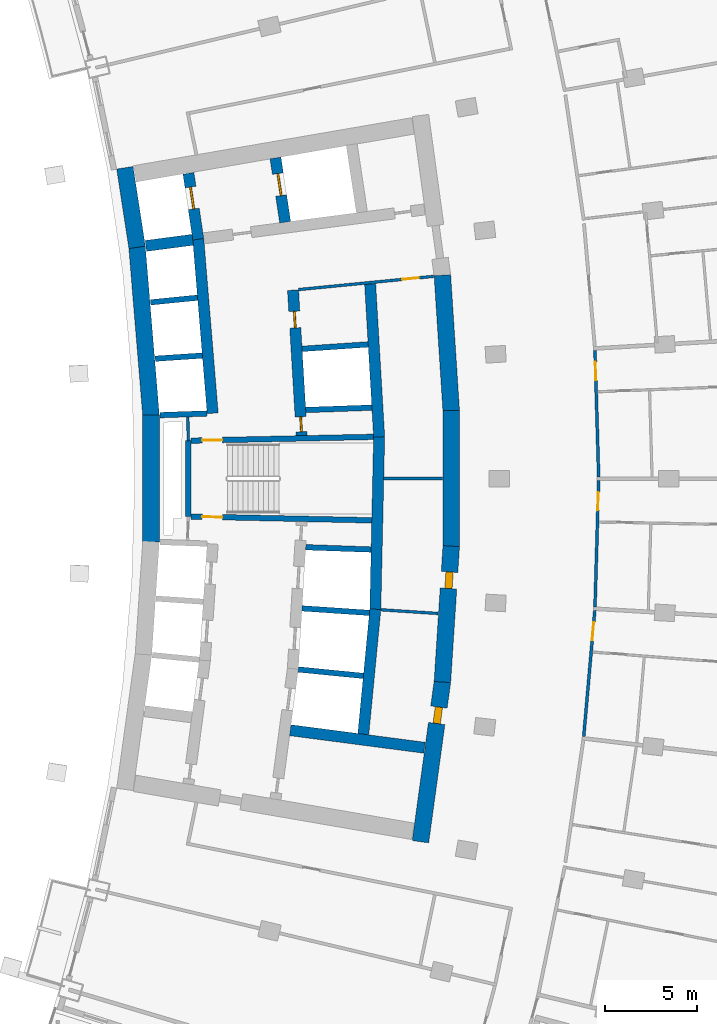
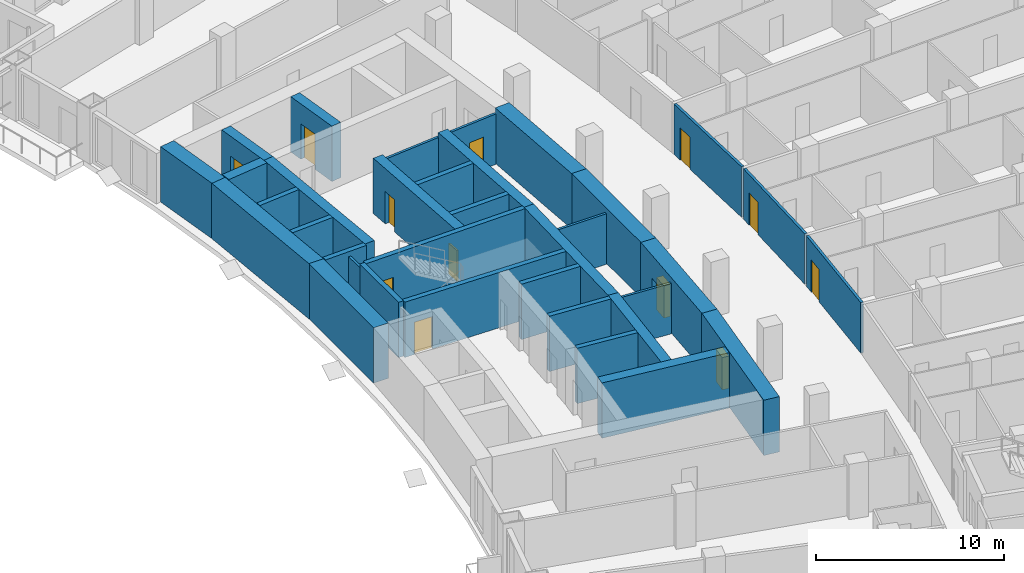
# One storey, part 16 of 24: 34 walls, 12 doors, 12 openings.
"""IFC4 building model written with IfcOpenShell, lengths in metres."""

from ifc_helpers import new_model, si_unit, direction, frame, frame_2d, origin, place, context, subcontext, project, spatial, rectangle, extrude, material, layer, layer_set, type_object, element, fill, save


model = new_model("IFC4")

# Units and contexts
model_context = context("Model", 3, precision=1e-05, world=origin(), true_north=direction((0.0, 1.0)))
body_context = subcontext(model_context, "Body", "Model", "MODEL_VIEW")
ifc_project = project(units=[si_unit("LENGTHUNIT", "METRE"), si_unit("AREAUNIT", "SQUARE_METRE"), si_unit("VOLUMEUNIT", "CUBIC_METRE"), si_unit("PLANEANGLEUNIT", "RADIAN"), si_unit("MASSUNIT", "GRAM", prefix="KILO")], contexts=[model_context])

# Site, building, storey
site_placement = place(None, origin())
site = spatial("IfcSite", under=ifc_project, at=site_placement, CompositionType="ELEMENT")
building_placement = place(site_placement, origin())
building = spatial("IfcBuilding", under=site, at=building_placement, Name="Alderwake Tower", CompositionType="ELEMENT")
storey_placement = place(building_placement, frame((0.0, 0.0, 39.199951171875)))
storey = spatial("IfcBuildingStorey", under=building, at=storey_placement, Name="L08", CompositionType="ELEMENT", Elevation=39.199951171875)

# Walls
ifc_material_1 = material(Name="Gypsum shaft wall system, rated")
ifc_layer_1 = layer(ifc_material_1, 0.14990234375)
ifc_layer_set_1 = layer_set([ifc_layer_1], Name="Core room partition 150")
wall_type_1 = type_object("IfcWallType", Name="Core room partition 150", PredefinedType="PARTITIONING", material=ifc_layer_set_1)
wall_1_placement = place(storey_placement, frame((18.918701171875, 63.05517578125, 0.0), z_axis=(0.0, 0.0, 1.0), x_axis=(-0.027327648352, 0.999626530078, 0.0)))
element("IfcWall", 1, at=wall_1_placement, inside=storey, type_object=wall_type_1, Name="CW/L08/PA+24_+22", PredefinedType="PARTITIONING", context=body_context, shape_type="SweptSolid", body=[
    extrude(rectangle(XDim=1.29541015625, YDim=0.14990234375, at=frame_2d((0.647705078125, 0.0))), origin(), (0.0, 0.0, 1.0), 3.280029296875),
])
wall_2_placement = place(storey_placement, frame((29.368408203125, 53.8779296875, 0.0), z_axis=(0.0, 0.0, 1.0), x_axis=(0.997885422127, -0.064997571548, 0.0)))
element("IfcWall", 2, at=wall_2_placement, inside=storey, type_object=wall_type_1, Name="CW/L08/PR-68_+128", PredefinedType="PARTITIONING", context=body_context, shape_type="SweptSolid", body=[
    extrude(rectangle(XDim=3.110107421875, YDim=0.14990234375, at=frame_2d((1.55517578125, 0.0))), origin(), (0.0, 0.0, 1.0), 3.280029296875),
])
wall_3_placement = place(storey_placement, frame((29.526123046875, 61.0, 0.0), z_axis=(0.0, 0.0, 1.0), x_axis=(1.0, 0.0, 0.0)))
element("IfcWall", 3, at=wall_3_placement, inside=storey, type_object=wall_type_1, Name="CW/L08/PR+0_+128", PredefinedType="PARTITIONING", context=body_context, shape_type="SweptSolid", body=[
    extrude(rectangle(XDim=3.18408203125, YDim=0.14990234375, at=frame_2d((1.592041015625, 0.0))), origin(), (0.0, 0.0, 1.0), 3.280029296875),
])

# Wall, opening, door
wall_4_placement = place(storey_placement, frame((32.233642578125, 71.982177734375, 0.0), z_axis=(0.0, 0.0, 1.0), x_axis=(-0.995245540971, -0.097397706226, 0.0)))
wall_4 = element("IfcWall", 4, at=wall_4_placement, inside=storey, type_object=wall_type_1, Name="CW/L08/PR+102_+86", PredefinedType="PARTITIONING", context=body_context, shape_type="SweptSolid", body=[
    extrude(rectangle(XDim=7.36962890625, YDim=0.14990234375, at=frame_2d((3.684814453125, 0.0))), origin(), (0.0, 0.0, 1.0), 3.280029296875),
])
opening_1_placement = place(wall_4_placement, frame((0.819580078125, 0.0, 0.0)))
opening_1 = element("IfcOpeningElement", 5, at=opening_1_placement, cuts=wall_4, Name="Opening C032", PredefinedType="OPENING", context=body_context, shape_type="SweptSolid", body=[
    extrude(rectangle(XDim=0.89990234375, YDim=2.10009765625, at=frame_2d((0.449951171875, 1.050048828125))), frame((0.0, 0.0849609375, 0.0), z_axis=(0.0, -1.0, 0.0), x_axis=(1.0, 0.0, 0.0)), (0.0, 0.0, 1.0), 0.169921875),
])
ifc_material_2 = material(Name="Painted steel leaf", Category="steel")
door_type_1 = type_object("IfcDoorType", Name="Core room door 900", OperationType="SINGLE_SWING_LEFT", PredefinedType="DOOR", material=ifc_material_2)
door_1_placement = place(opening_1_placement, origin())
door_1 = element("IfcDoor", 6, at=door_1_placement, inside=storey, type_object=door_type_1, Name="Room door", OperationType="SINGLE_SWING_RIGHT", OverallHeight=2.10009765625, OverallWidth=0.89990234375, PredefinedType="DOOR", context=body_context, shape_type="SweptSolid", body=[
    extrude(rectangle(XDim=0.89990234375, YDim=2.10009765625, at=frame_2d((0.449951171875, 1.050048828125))), frame((0.0, 0.02490234375, 0.0), z_axis=(0.0, -1.0, 0.0), x_axis=(1.0, 0.0, 0.0)), (0.0, 0.0, 1.0), 0.050048828125),
])
fill(opening_1, door_1)

# Walls
ifc_material_3 = material(Name="Concrete C70/85", Category="concrete")
ifc_layer_2 = layer(ifc_material_3, 0.89990234375)
ifc_layer_set_2 = layer_set([ifc_layer_2], Name="Core wall outer 900 C70-85")
wall_type_2 = type_object("IfcWallType", Name="Core wall outer 900 C70-85", PredefinedType="SHEAR", material=ifc_layer_set_2)
wall_5_placement = place(storey_placement, frame((16.889404296875, 57.5546875, 0.0), z_axis=(0.0, 0.0, 1.0), x_axis=(0.0, 1.0, 0.0)))
element("IfcWall", 7, at=wall_5_placement, inside=storey, type_object=wall_type_2, Name="Core wall CW.043", PredefinedType="SHEAR", context=body_context, shape_type="SweptSolid", body=[
    extrude(rectangle(XDim=6.89404296875, YDim=0.89990234375, at=frame_2d((3.447021484375, 0.0))), origin(), (0.0, 0.0, 1.0), 3.60009765625),
])
wall_6_placement = place(storey_placement, frame((16.890869140625, 64.41064453125, 0.0), z_axis=(0.0, 0.0, 1.0), x_axis=(-0.082624275373, 0.996580768989, 0.0)))
element("IfcWall", 8, at=wall_6_placement, inside=storey, type_object=wall_type_2, Name="Core wall CW.040", PredefinedType="SHEAR", context=body_context, shape_type="SweptSolid", body=[
    extrude(rectangle(XDim=9.210205078125, YDim=0.89990234375, at=frame_2d((4.60498046875, 0.0))), origin(), (0.0, 0.0, 1.0), 3.60009765625),
])
wall_7_placement = place(storey_placement, frame((16.1337890625, 73.557373046875, 0.0), z_axis=(0.0, 0.0, 1.0), x_axis=(-0.151956504286, 0.988387181627, 0.0)))
element("IfcWall", 9, at=wall_7_placement, inside=storey, type_object=wall_type_2, Name="Core wall CW.039", PredefinedType="SHEAR", context=body_context, shape_type="SweptSolid", body=[
    extrude(rectangle(XDim=4.373291015625, YDim=0.89990234375, at=frame_2d((2.1865234375, 0.0))), origin(), (0.0, 0.0, 1.0), 3.60009765625),
])

# Wall, opening, door
wall_8_placement = place(storey_placement, frame((32.7138671875, 49.9873046875, 0.0), z_axis=(0.0, 0.0, 1.0), x_axis=(-0.135844728876, -0.990730139663, 0.0)))
wall_8 = element("IfcWall", 10, at=wall_8_placement, inside=storey, type_object=wall_type_2, Name="Core wall CW.012", PredefinedType="SHEAR", context=body_context, shape_type="SweptSolid", body=[
    extrude(rectangle(XDim=8.78662109375, YDim=0.89990234375, at=frame_2d((4.393310546875, 0.0))), origin(), (0.0, 0.0, 1.0), 3.60009765625),
])
opening_2_placement = place(wall_8_placement, frame((1.40673828125, 0.0, 0.0)))
opening_2 = element("IfcOpeningElement", 11, at=opening_2_placement, cuts=wall_8, Name="Opening C049", PredefinedType="OPENING", context=body_context, shape_type="SweptSolid", body=[
    extrude(rectangle(XDim=0.89990234375, YDim=2.10009765625, at=frame_2d((0.449951171875, 1.050048828125))), frame((0.0, 0.4599609375, 0.0), z_axis=(0.0, -1.0, 0.0), x_axis=(1.0, 0.0, 0.0)), (0.0, 0.0, 1.0), 0.919921875),
])
door_2_placement = place(opening_2_placement, origin())
door_2 = element("IfcDoor", 12, at=door_2_placement, inside=storey, type_object=door_type_1, Name="Room door", OperationType="SINGLE_SWING_LEFT", OverallHeight=2.10009765625, OverallWidth=0.89990234375, PredefinedType="DOOR", context=body_context, shape_type="SweptSolid", body=[
    extrude(rectangle(XDim=0.89990234375, YDim=2.10009765625, at=frame_2d((0.449951171875, 1.050048828125))), frame((0.0, 0.199951171875, 0.0), z_axis=(0.0, -1.0, 0.0), x_axis=(1.0, 0.0, 0.0)), (0.0, 0.0, 1.0), 0.39990234375),
])
fill(opening_2, door_2)

wall_9_placement = place(storey_placement, frame((33.191162109375, 57.33349609375, 0.0), z_axis=(0.0, 0.0, 1.0), x_axis=(-0.064976219143, -0.997886812693, 0.0)))
wall_9 = element("IfcWall", 13, at=wall_9_placement, inside=storey, type_object=wall_type_2, Name="Core wall CW.011", PredefinedType="SHEAR", context=body_context, shape_type="SweptSolid", body=[
    extrude(rectangle(XDim=7.39453125, YDim=0.89990234375, at=frame_2d((3.697265625, 0.0))), origin(), (0.0, 0.0, 1.0), 3.60009765625),
])
opening_3_placement = place(wall_9_placement, frame((1.405517578125, 0.0, 0.0)))
opening_3 = element("IfcOpeningElement", 14, at=opening_3_placement, cuts=wall_9, Name="Opening C028", PredefinedType="OPENING", context=body_context, shape_type="SweptSolid", body=[
    extrude(rectangle(XDim=0.89990234375, YDim=2.10009765625, at=frame_2d((0.449951171875, 1.050048828125))), frame((0.0, 0.4599609375, 0.0), z_axis=(0.0, -1.0, 0.0), x_axis=(1.0, 0.0, 0.0)), (0.0, 0.0, 1.0), 0.919921875),
])
door_3_placement = place(opening_3_placement, origin())
door_3 = element("IfcDoor", 15, at=door_3_placement, inside=storey, type_object=door_type_1, Name="Room door", OperationType="SINGLE_SWING_LEFT", OverallHeight=2.10009765625, OverallWidth=0.89990234375, PredefinedType="DOOR", context=body_context, shape_type="SweptSolid", body=[
    extrude(rectangle(XDim=0.89990234375, YDim=2.10009765625, at=frame_2d((0.449951171875, 1.050048828125))), frame((0.0, 0.199951171875, 0.0), z_axis=(0.0, -1.0, 0.0), x_axis=(1.0, 0.0, 0.0)), (0.0, 0.0, 1.0), 0.39990234375),
])
fill(opening_3, door_3)

# Walls
wall_10_placement = place(storey_placement, frame((33.190185546875, 57.30322265625, 0.0), z_axis=(0.0, 0.0, 1.0), x_axis=(0.0, 1.0, 0.0)))
element("IfcWall", 16, at=wall_10_placement, inside=storey, type_object=wall_type_2, Name="Core wall CW.013", PredefinedType="SHEAR", context=body_context, shape_type="SweptSolid", body=[
    extrude(rectangle(XDim=7.3935546875, YDim=0.89990234375, at=frame_2d((3.69677734375, 0.0))), origin(), (0.0, 0.0, 1.0), 3.60009765625),
])
wall_11_placement = place(storey_placement, frame((33.191162109375, 64.66650390625, 0.0), z_axis=(0.0, 0.0, 1.0), x_axis=(-0.064976219143, 0.997886812693, 0.0)))
element("IfcWall", 17, at=wall_11_placement, inside=storey, type_object=wall_type_2, Name="Core wall CW.010", PredefinedType="SHEAR", context=body_context, shape_type="SweptSolid", body=[
    extrude(rectangle(XDim=7.39453125, YDim=0.89990234375, at=frame_2d((3.697265625, 0.0))), origin(), (0.0, 0.0, 1.0), 3.60009765625),
])
ifc_material_4 = material(Name="Concrete C70/85", Category="concrete")
ifc_layer_3 = layer(ifc_material_4, 0.300048828125)
ifc_layer_set_3 = layer_set([ifc_layer_3], Name="Core wall shaft 300 C70-85")
wall_type_3 = type_object("IfcWallType", Name="Core wall shaft 300 C70-85", PredefinedType="SHEAR", material=ifc_layer_set_3)
wall_12_placement = place(storey_placement, frame((24.889404296875, 50.635009765625, 0.0), z_axis=(0.0, 0.0, 1.0), x_axis=(0.995157756799, -0.098290584916, 0.0)))
element("IfcWall", 18, at=wall_12_placement, inside=storey, type_object=wall_type_3, Name="Core wall CW.066", PredefinedType="SHEAR", context=body_context, shape_type="SweptSolid", body=[
    extrude(rectangle(XDim=3.546875, YDim=0.300048828125, at=frame_2d((1.7734375, 0.0))), origin(), (0.0, 0.0, 1.0), 3.60009765625),
])
wall_13_placement = place(storey_placement, frame((25.090087890625, 53.954833984375, 0.0), z_axis=(0.0, 0.0, 1.0), x_axis=(0.997759755038, -0.066898962827, 0.0)))
element("IfcWall", 19, at=wall_13_placement, inside=storey, type_object=wall_type_3, Name="Core wall CW.080", PredefinedType="SHEAR", context=body_context, shape_type="SweptSolid", body=[
    extrude(rectangle(XDim=3.667724609375, YDim=0.300048828125, at=frame_2d((1.833984375, 0.0))), origin(), (0.0, 0.0, 1.0), 3.60009765625),
])
wall_14_placement = place(storey_placement, frame((25.29052734375, 57.27294921875, 0.0), z_axis=(0.0, 0.0, 1.0), x_axis=(0.999373490158, -0.035392473348, 0.0)))
element("IfcWall", 20, at=wall_14_placement, inside=storey, type_object=wall_type_3, Name="Core wall CW.077", PredefinedType="SHEAR", context=body_context, shape_type="SweptSolid", body=[
    extrude(rectangle(XDim=3.552490234375, YDim=0.300048828125, at=frame_2d((1.7763671875, 0.0))), origin(), (0.0, 0.0, 1.0), 3.60009765625),
])
wall_15_placement = place(storey_placement, frame((17.369384765625, 64.446533203125, 0.0), z_axis=(0.0, 0.0, 1.0), x_axis=(0.999371660382, 0.035444102817, 0.0)))
element("IfcWall", 21, at=wall_15_placement, inside=storey, type_object=wall_type_3, Name="Core wall CW.059", PredefinedType="SHEAR", context=body_context, shape_type="SweptSolid", body=[
    extrude(rectangle(XDim=2.5693359375, YDim=0.300048828125, at=frame_2d((1.28466796875, 0.0))), origin(), (0.0, 0.0, 1.0), 3.60009765625),
])
wall_16_placement = place(storey_placement, frame((25.291259765625, 64.72705078125, 0.0), z_axis=(0.0, 0.0, 1.0), x_axis=(0.999373454301, 0.035393485806, 0.0)))
element("IfcWall", 22, at=wall_16_placement, inside=storey, type_object=wall_type_3, Name="Core wall CW.060", PredefinedType="SHEAR", context=body_context, shape_type="SweptSolid", body=[
    extrude(rectangle(XDim=3.59375, YDim=0.300048828125, at=frame_2d((1.796875, 0.0))), origin(), (0.0, 0.0, 1.0), 3.60009765625),
])
wall_17_placement = place(storey_placement, frame((17.115478515625, 67.510498046875, 0.0), z_axis=(0.0, 0.0, 1.0), x_axis=(0.99775517309, 0.06696726493, 0.0)))
element("IfcWall", 23, at=wall_17_placement, inside=storey, type_object=wall_type_3, Name="Core wall CW.062", PredefinedType="SHEAR", context=body_context, shape_type="SweptSolid", body=[
    extrude(rectangle(XDim=2.566650390625, YDim=0.300048828125, at=frame_2d((1.283203125, 0.0))), origin(), (0.0, 0.0, 1.0), 3.60009765625),
])
wall_18_placement = place(storey_placement, frame((25.09228515625, 68.04541015625, 0.0), z_axis=(0.0, 0.0, 1.0), x_axis=(0.997761968855, 0.066865936816, 0.0)))
element("IfcWall", 24, at=wall_18_placement, inside=storey, type_object=wall_type_3, Name="Core wall CW.063", PredefinedType="SHEAR", context=body_context, shape_type="SweptSolid", body=[
    extrude(rectangle(XDim=3.596435546875, YDim=0.300048828125, at=frame_2d((1.79833984375, 0.0))), origin(), (0.0, 0.0, 1.0), 3.60009765625),
])
wall_19_placement = place(storey_placement, frame((16.86181640625, 70.571533203125, 0.0), z_axis=(0.0, 0.0, 1.0), x_axis=(0.995151424955, 0.098354671516, 0.0)))
element("IfcWall", 25, at=wall_19_placement, inside=storey, type_object=wall_type_3, Name="Core wall CW.050", PredefinedType="SHEAR", context=body_context, shape_type="SweptSolid", body=[
    extrude(rectangle(XDim=2.566650390625, YDim=0.300048828125, at=frame_2d((1.283203125, 0.0))), origin(), (0.0, 0.0, 1.0), 3.60009765625),
])
ifc_material_5 = material(Name="Concrete C70/85", Category="concrete")
ifc_layer_4 = layer(ifc_material_5, 0.60009765625)
ifc_layer_set_4 = layer_set([ifc_layer_4], Name="Core wall spine 600 C70-85")
wall_type_4 = type_object("IfcWallType", Name="Core wall spine 600 C70-85", PredefinedType="SHEAR", material=ifc_layer_set_4)
wall_20_placement = place(storey_placement, frame((20.2373046875, 64.548095703125, 0.0), z_axis=(0.0, 0.0, 1.0), x_axis=(-0.082626598613, 0.996580576372, 0.0)))
element("IfcWall", 26, at=wall_20_placement, inside=storey, type_object=wall_type_4, Name="Core wall CW.031", PredefinedType="SHEAR", context=body_context, shape_type="SweptSolid", body=[
    extrude(rectangle(XDim=9.50244140625, YDim=0.60009765625, at=frame_2d((4.751220703125, 0.0))), origin(), (0.0, 0.0, 1.0), 3.60009765625),
])

# Wall, opening, door
wall_21_placement = place(storey_placement, frame((19.45458984375, 73.99755859375, 0.0), z_axis=(0.0, 0.0, 1.0), x_axis=(-0.147502312715, 0.989061710786, 0.0)))
wall_21 = element("IfcWall", 27, at=wall_21_placement, inside=storey, type_object=wall_type_4, Name="Core wall CW.030", PredefinedType="SHEAR", context=body_context, shape_type="SweptSolid", body=[
    extrude(rectangle(XDim=3.6181640625, YDim=0.60009765625, at=frame_2d((1.80908203125, 0.0))), origin(), (0.0, 0.0, 1.0), 3.60009765625),
])
opening_4_placement = place(wall_21_placement, frame((1.664306640625, 0.0, 0.0)))
opening_4 = element("IfcOpeningElement", 28, at=opening_4_placement, cuts=wall_21, Name="Opening LD-FF1", PredefinedType="OPENING", context=body_context, shape_type="SweptSolid", body=[
    extrude(rectangle(XDim=1.199951171875, YDim=2.300048828125, at=frame_2d((0.60009765625, 1.14990234375))), frame((0.0, 0.31005859375, 0.0), z_axis=(0.0, -1.0, 0.0), x_axis=(1.0, 0.0, 0.0)), (0.0, 0.0, 1.0), 0.6201171875),
])
ifc_material_6 = material(Name="Stainless steel sliding leaf", Category="steel")
door_type_2 = type_object("IfcDoorType", Name="Lift landing door 1200", OperationType="SLIDING_TO_LEFT", PredefinedType="DOOR", material=ifc_material_6)
door_4_placement = place(opening_4_placement, origin())
door_4 = element("IfcDoor", 29, at=door_4_placement, inside=storey, type_object=door_type_2, Name="Lift landing door FF1", OperationType="SLIDING_TO_LEFT", OverallHeight=2.300048828125, OverallWidth=1.199951171875, PredefinedType="DOOR", context=body_context, shape_type="SweptSolid", body=[
    extrude(rectangle(XDim=1.199951171875, YDim=2.300048828125, at=frame_2d((0.60009765625, 1.14990234375))), frame((0.0, 0.050048828125, 0.0), z_axis=(0.0, -1.0, 0.0), x_axis=(1.0, 0.0, 0.0)), (0.0, 0.0, 1.0), 0.10009765625),
])
fill(opening_4, door_4)

# Wall, openings, doors
wall_22_placement = place(storey_placement, frame((25.073974609375, 63.335693359375, 0.0), z_axis=(0.0, 0.0, 1.0), x_axis=(-0.059848641072, 0.998207463487, 0.0)))
wall_22 = element("IfcWall", 30, at=wall_22_placement, inside=storey, type_object=wall_type_4, Name="Core wall CW.045", PredefinedType="SHEAR", context=body_context, shape_type="SweptSolid", body=[
    extrude(rectangle(XDim=7.913818359375, YDim=0.60009765625, at=frame_2d((3.95703125, 0.0))), origin(), (0.0, 0.0, 1.0), 3.60009765625),
])
opening_5_placement = place(wall_22_placement, frame((0.216064453125, 0.0, 0.0)))
opening_5 = element("IfcOpeningElement", 31, at=opening_5_placement, cuts=wall_22, Name="Opening C005", PredefinedType="OPENING", context=body_context, shape_type="SweptSolid", body=[
    extrude(rectangle(XDim=0.800048828125, YDim=2.0, at=frame_2d((0.39990234375, 1.0))), frame((0.0, 0.31005859375, 0.0), z_axis=(0.0, -1.0, 0.0), x_axis=(1.0, 0.0, 0.0)), (0.0, 0.0, 1.0), 0.6201171875),
])
opening_6_placement = place(wall_22_placement, frame((5.856201171875, 0.0, 0.0)))
opening_6 = element("IfcOpeningElement", 32, at=opening_6_placement, cuts=wall_22, Name="Opening C023", PredefinedType="OPENING", context=body_context, shape_type="SweptSolid", body=[
    extrude(rectangle(XDim=0.89990234375, YDim=2.10009765625, at=frame_2d((0.449951171875, 1.050048828125))), frame((0.0, 0.31005859375, 0.0), z_axis=(0.0, -1.0, 0.0), x_axis=(1.0, 0.0, 0.0)), (0.0, 0.0, 1.0), 0.6201171875),
])
door_5_placement = place(opening_6_placement, origin())
door_5 = element("IfcDoor", 33, at=door_5_placement, inside=storey, type_object=door_type_1, Name="Room door", OperationType="SINGLE_SWING_RIGHT", OverallHeight=2.10009765625, OverallWidth=0.89990234375, PredefinedType="DOOR", context=body_context, shape_type="SweptSolid", body=[
    extrude(rectangle(XDim=0.89990234375, YDim=2.10009765625, at=frame_2d((0.449951171875, 1.050048828125))), frame((0.0, 0.050048828125, 0.0), z_axis=(0.0, -1.0, 0.0), x_axis=(1.0, 0.0, 0.0)), (0.0, 0.0, 1.0), 0.10009765625),
])
fill(opening_6, door_5)
ifc_material_7 = material(Name="Painted steel leaf, rated", Category="steel")
door_type_3 = type_object("IfcDoorType", Name="Riser access door 800", OperationType="SINGLE_SWING_LEFT", PredefinedType="DOOR", material=ifc_material_7)
door_6_placement = place(opening_5_placement, origin())
door_6 = element("IfcDoor", 34, at=door_6_placement, inside=storey, type_object=door_type_3, Name="Riser access door", OperationType="SINGLE_SWING_LEFT", OverallHeight=2.0, OverallWidth=0.800048828125, PredefinedType="DOOR", context=body_context, shape_type="SweptSolid", body=[
    extrude(rectangle(XDim=0.800048828125, YDim=2.0, at=frame_2d((0.39990234375, 1.0))), frame((0.0, 0.050048828125, 0.0), z_axis=(0.0, -1.0, 0.0), x_axis=(1.0, 0.0, 0.0)), (0.0, 0.0, 1.0), 0.10009765625),
])
fill(opening_5, door_6)

# Wall, opening, door
wall_23_placement = place(storey_placement, frame((24.173095703125, 74.927734375, 0.0), z_axis=(0.0, 0.0, 1.0), x_axis=(-0.14910953086, 0.988820685365, 0.0)))
wall_23 = element("IfcWall", 35, at=wall_23_placement, inside=storey, type_object=wall_type_4, Name="Core wall CW.044", PredefinedType="SHEAR", context=body_context, shape_type="SweptSolid", body=[
    extrude(rectangle(XDim=3.5234375, YDim=0.60009765625, at=frame_2d((1.76171875, 0.0))), origin(), (0.0, 0.0, 1.0), 3.60009765625),
])
opening_7_placement = place(wall_23_placement, frame((1.4619140625, 0.0, 0.0)))
opening_7 = element("IfcOpeningElement", 36, at=opening_7_placement, cuts=wall_23, Name="Opening LD-FF2", PredefinedType="OPENING", context=body_context, shape_type="SweptSolid", body=[
    extrude(rectangle(XDim=1.199951171875, YDim=2.300048828125, at=frame_2d((0.60009765625, 1.14990234375))), frame((0.0, 0.31005859375, 0.0), z_axis=(0.0, -1.0, 0.0), x_axis=(1.0, 0.0, 0.0)), (0.0, 0.0, 1.0), 0.6201171875),
])
door_7_placement = place(opening_7_placement, origin())
door_7 = element("IfcDoor", 37, at=door_7_placement, inside=storey, type_object=door_type_2, Name="Lift landing door FF2", OperationType="SLIDING_TO_LEFT", OverallHeight=2.300048828125, OverallWidth=1.199951171875, PredefinedType="DOOR", context=body_context, shape_type="SweptSolid", body=[
    extrude(rectangle(XDim=1.199951171875, YDim=2.300048828125, at=frame_2d((0.60009765625, 1.14990234375))), frame((0.0, 0.050048828125, 0.0), z_axis=(0.0, -1.0, 0.0), x_axis=(1.0, 0.0, 0.0)), (0.0, 0.0, 1.0), 0.10009765625),
])
fill(opening_7, door_7)

# Walls
wall_24_placement = place(storey_placement, frame((28.415283203125, 47.12255859375, 0.0), z_axis=(0.0, 0.0, 1.0), x_axis=(0.096035810952, 0.995377879508, 0.0)))
element("IfcWall", 38, at=wall_24_placement, inside=storey, type_object=wall_type_4, Name="Core wall CW.005", PredefinedType="SHEAR", context=body_context, shape_type="SweptSolid", body=[
    extrude(rectangle(XDim=6.818115234375, YDim=0.60009765625, at=frame_2d((3.4091796875, 0.0))), origin(), (0.0, 0.0, 1.0), 3.60009765625),
])
wall_25_placement = place(storey_placement, frame((29.068603515625, 53.885986328125, 0.0), z_axis=(0.0, 0.0, 1.0), x_axis=(0.022123304576, 0.999755249746, 0.0)))
element("IfcWall", 39, at=wall_25_placement, inside=storey, type_object=wall_type_4, Name="Core wall CW.008", PredefinedType="SHEAR", context=body_context, shape_type="SweptSolid", body=[
    extrude(rectangle(XDim=9.402099609375, YDim=0.60009765625, at=frame_2d((4.701171875, 0.0))), origin(), (0.0, 0.0, 1.0), 3.60009765625),
])
wall_26_placement = place(storey_placement, frame((29.277099609375, 63.260498046875, 0.0), z_axis=(0.0, 0.0, 1.0), x_axis=(-0.058809712878, 0.99826921102, 0.0)))
element("IfcWall", 40, at=wall_26_placement, inside=storey, type_object=wall_type_4, Name="Core wall CW.002", PredefinedType="SHEAR", context=body_context, shape_type="SweptSolid", body=[
    extrude(rectangle(XDim=8.323486328125, YDim=0.60009765625, at=frame_2d((4.16162109375, 0.0))), origin(), (0.0, 0.0, 1.0), 3.60009765625),
])
wall_27_placement = place(storey_placement, frame((24.4501953125, 47.338623046875, 0.0), z_axis=(0.0, 0.0, 1.0), x_axis=(0.991554769286, -0.129688625198, 0.0)))
element("IfcWall", 41, at=wall_27_placement, inside=storey, type_object=wall_type_4, Name="Core wall CW.069", PredefinedType="SHEAR", context=body_context, shape_type="SweptSolid", body=[
    extrude(rectangle(XDim=7.347412109375, YDim=0.60009765625, at=frame_2d((3.673828125, 0.0))), origin(), (0.0, 0.0, 1.0), 3.60009765625),
])
wall_28_placement = place(storey_placement, frame((16.607666015625, 73.635498046875, 0.0), z_axis=(0.0, 0.0, 1.0), x_axis=(0.991551057449, 0.129717001478, 0.0)))
element("IfcWall", 42, at=wall_28_placement, inside=storey, type_object=wall_type_4, Name="Core wall CW.051", PredefinedType="SHEAR", context=body_context, shape_type="SweptSolid", body=[
    extrude(rectangle(XDim=2.569091796875, YDim=0.60009765625, at=frame_2d((1.28466796875, 0.0))), origin(), (0.0, 0.0, 1.0), 3.60009765625),
])
ifc_material_8 = material(Name="Concrete C70/85", Category="concrete")
ifc_layer_5 = layer(ifc_material_8, 0.300048828125)
ifc_layer_set_5 = layer_set([ifc_layer_5], Name="Core wall stair enclosure 300 C70-85")
wall_type_5 = type_object("IfcWallType", Name="Core wall stair enclosure 300 C70-85", PredefinedType="SHEAR", material=ifc_layer_set_5)
wall_29_placement = place(storey_placement, frame((18.918701171875, 58.94091796875, 0.0), z_axis=(0.0, 0.0, 1.0), x_axis=(0.0, 1.0, 0.0)))
element("IfcWall", 43, at=wall_29_placement, inside=storey, type_object=wall_type_5, Name="Core wall CW.024", PredefinedType="SHEAR", context=body_context, shape_type="SweptSolid", body=[
    extrude(rectangle(XDim=4.119384765625, YDim=0.300048828125, at=frame_2d((2.0595703125, 0.0))), origin(), (0.0, 0.0, 1.0), 3.60009765625),
])

# Wall, opening, door
wall_30_placement = place(storey_placement, frame((28.8759765625, 58.735107421875, 0.0), z_axis=(0.0, 0.0, 1.0), x_axis=(-0.999783520771, 0.020806527678, 0.0)))
wall_30 = element("IfcWall", 44, at=wall_30_placement, inside=storey, type_object=wall_type_5, Name="Core wall CW.074", PredefinedType="SHEAR", context=body_context, shape_type="SweptSolid", body=[
    extrude(rectangle(XDim=9.8095703125, YDim=0.300048828125, at=frame_2d((4.90478515625, 0.0))), origin(), (0.0, 0.0, 1.0), 3.60009765625),
])
opening_8_placement = place(wall_30_placement, frame((8.109375, 0.0, 0.0)))
opening_8 = element("IfcOpeningElement", 45, at=opening_8_placement, cuts=wall_30, Name="Opening C063", PredefinedType="OPENING", context=body_context, shape_type="SweptSolid", body=[
    extrude(rectangle(XDim=1.10009765625, YDim=2.10009765625, at=frame_2d((0.550048828125, 1.050048828125))), frame((0.0, 0.159912109375, 0.0), z_axis=(0.0, -1.0, 0.0), x_axis=(1.0, 0.0, 0.0)), (0.0, 0.0, 1.0), 0.320068359375),
])
ifc_material_9 = material(Name="Steel-framed fire door leaf", Category="steel")
door_type_4 = type_object("IfcDoorType", Name="Core stair door 1100 fire-rated", OperationType="SINGLE_SWING_LEFT", PredefinedType="DOOR", material=ifc_material_9)
door_8_placement = place(opening_8_placement, origin())
door_8 = element("IfcDoor", 46, at=door_8_placement, inside=storey, type_object=door_type_4, Name="Stair door", OperationType="SINGLE_SWING_LEFT", OverallHeight=2.10009765625, OverallWidth=1.10009765625, PredefinedType="DOOR", context=body_context, shape_type="SweptSolid", body=[
    extrude(rectangle(XDim=1.10009765625, YDim=2.10009765625, at=frame_2d((0.550048828125, 1.050048828125))), frame((0.0, 0.02490234375, 0.0), z_axis=(0.0, -1.0, 0.0), x_axis=(1.0, 0.0, 0.0)), (0.0, 0.0, 1.0), 0.050048828125),
])
fill(opening_8, door_8)

wall_31_placement = place(storey_placement, frame((19.068603515625, 63.060791015625, 0.0), z_axis=(0.0, 0.0, 1.0), x_axis=(0.999783793601, 0.020793413711, 0.0)))
wall_31 = element("IfcWall", 47, at=wall_31_placement, inside=storey, type_object=wall_type_5, Name="Core wall CW.057", PredefinedType="SHEAR", context=body_context, shape_type="SweptSolid", body=[
    extrude(rectangle(XDim=9.90966796875, YDim=0.300048828125, at=frame_2d((4.954833984375, 0.0))), origin(), (0.0, 0.0, 1.0), 3.60009765625),
])
opening_9_placement = place(wall_31_placement, frame((0.60009765625, 0.0, 0.0)))
opening_9 = element("IfcOpeningElement", 48, at=opening_9_placement, cuts=wall_31, Name="Opening C064", PredefinedType="OPENING", context=body_context, shape_type="SweptSolid", body=[
    extrude(rectangle(XDim=1.10009765625, YDim=2.10009765625, at=frame_2d((0.550048828125, 1.050048828125))), frame((0.0, 0.159912109375, 0.0), z_axis=(0.0, -1.0, 0.0), x_axis=(1.0, 0.0, 0.0)), (0.0, 0.0, 1.0), 0.320068359375),
])
door_9_placement = place(opening_9_placement, origin())
door_9 = element("IfcDoor", 49, at=door_9_placement, inside=storey, type_object=door_type_4, Name="Stair door", OperationType="SINGLE_SWING_RIGHT", OverallHeight=2.10009765625, OverallWidth=1.10009765625, PredefinedType="DOOR", context=body_context, shape_type="SweptSolid", body=[
    extrude(rectangle(XDim=1.10009765625, YDim=2.10009765625, at=frame_2d((0.550048828125, 1.050048828125))), frame((0.0, 0.02490234375, 0.0), z_axis=(0.0, -1.0, 0.0), x_axis=(1.0, 0.0, 0.0)), (0.0, 0.0, 1.0), 0.050048828125),
])
fill(opening_9, door_9)

ifc_material_10 = material(Name="Gypsum board on metal studs, rated")
ifc_layer_6 = layer(ifc_material_10, 0.159912109375)
ifc_layer_set_6 = layer_set([ifc_layer_6], Name="Corridor wall 160")
wall_type_6 = type_object("IfcWallType", Name="Corridor wall 160", PredefinedType="PARTITIONING", material=ifc_layer_set_6)
wall_32_placement = place(storey_placement, frame((40.986328125, 53.834228515625, 0.0), z_axis=(0.0, 0.0, 1.0), x_axis=(-0.087448731147, -0.996169021512, 0.0)))
wall_32 = element("IfcWall", 50, at=wall_32_placement, inside=storey, type_object=wall_type_6, Name="WL/L08/W38", PredefinedType="PARTITIONING", context=body_context, shape_type="SweptSolid", body=[
    extrude(rectangle(XDim=6.867919921875, YDim=0.159912109375, at=frame_2d((3.43408203125, 0.0))), origin(), (0.0, 0.0, 1.0), 3.280029296875),
])
opening_10_placement = place(wall_32_placement, frame((0.628173828125, 0.0, 0.0)))
opening_10 = element("IfcOpeningElement", 51, at=opening_10_placement, cuts=wall_32, Name="Opening R01-U06.3", PredefinedType="OPENING", context=body_context, shape_type="SweptSolid", body=[
    extrude(rectangle(XDim=1.0, YDim=2.10009765625, at=frame_2d((0.5, 1.050048828125))), frame((0.0, 0.08984375, 0.0), z_axis=(0.0, -1.0, 0.0), x_axis=(1.0, 0.0, 0.0)), (0.0, 0.0, 1.0), 0.179931640625),
])
ifc_material_11 = material(Name="Solid timber leaf in steel frame", Category="steel")
door_type_5 = type_object("IfcDoorType", Name="Flat entrance door 1000 fire-rated", OperationType="SINGLE_SWING_LEFT", PredefinedType="DOOR", material=ifc_material_11)
door_10_placement = place(opening_10_placement, origin())
door_10 = element("IfcDoor", 52, at=door_10_placement, inside=storey, type_object=door_type_5, Name="DR/L08/U06.3", OperationType="SINGLE_SWING_LEFT", OverallHeight=2.10009765625, OverallWidth=1.0, PredefinedType="DOOR", context=body_context, shape_type="SweptSolid", body=[
    extrude(rectangle(XDim=1.0, YDim=2.10009765625, at=frame_2d((0.5, 1.050048828125))), frame((0.0, 0.02490234375, 0.0), z_axis=(0.0, -1.0, 0.0), x_axis=(1.0, 0.0, 0.0)), (0.0, 0.0, 1.0), 0.050048828125),
])
fill(opening_10, door_10)

wall_33_placement = place(storey_placement, frame((41.196044921875, 60.89892578125, 0.0), z_axis=(0.0, 0.0, 1.0), x_axis=(-0.028865238788, -0.99958331218, 0.0)))
wall_33 = element("IfcWall", 53, at=wall_33_placement, inside=storey, type_object=wall_type_6, Name="WL/L08/W41", PredefinedType="PARTITIONING", context=body_context, shape_type="SweptSolid", body=[
    extrude(rectangle(XDim=6.867919921875, YDim=0.159912109375, at=frame_2d((3.43408203125, 0.0))), origin(), (0.0, 0.0, 1.0), 3.280029296875),
])
opening_11_placement = place(wall_33_placement, frame((0.627685546875, 0.0, 0.0)))
opening_11 = element("IfcOpeningElement", 54, at=opening_11_placement, cuts=wall_33, Name="Opening R01-U07.3", PredefinedType="OPENING", context=body_context, shape_type="SweptSolid", body=[
    extrude(rectangle(XDim=1.0, YDim=2.10009765625, at=frame_2d((0.5, 1.050048828125))), frame((0.0, 0.08984375, 0.0), z_axis=(0.0, -1.0, 0.0), x_axis=(1.0, 0.0, 0.0)), (0.0, 0.0, 1.0), 0.179931640625),
])
door_11_placement = place(opening_11_placement, origin())
door_11 = element("IfcDoor", 55, at=door_11_placement, inside=storey, type_object=door_type_5, Name="DR/L08/U07.3", OperationType="SINGLE_SWING_LEFT", OverallHeight=2.10009765625, OverallWidth=1.0, PredefinedType="DOOR", context=body_context, shape_type="SweptSolid", body=[
    extrude(rectangle(XDim=1.0, YDim=2.10009765625, at=frame_2d((0.5, 1.050048828125))), frame((0.0, 0.02490234375, 0.0), z_axis=(0.0, -1.0, 0.0), x_axis=(1.0, 0.0, 0.0)), (0.0, 0.0, 1.0), 0.050048828125),
])
fill(opening_11, door_11)

wall_34_placement = place(storey_placement, frame((40.997802734375, 67.967041015625, 0.0), z_axis=(0.0, 0.0, 1.0), x_axis=(0.028852935833, -0.99958366738, 0.0)))
wall_34 = element("IfcWall", 56, at=wall_34_placement, inside=storey, type_object=wall_type_6, Name="WL/L08/W42", PredefinedType="PARTITIONING", context=body_context, shape_type="SweptSolid", body=[
    extrude(rectangle(XDim=6.870849609375, YDim=0.159912109375, at=frame_2d((3.435546875, 0.0))), origin(), (0.0, 0.0, 1.0), 3.280029296875),
])
opening_12_placement = place(wall_34_placement, frame((0.628662109375, 0.0, 0.0)))
opening_12 = element("IfcOpeningElement", 57, at=opening_12_placement, cuts=wall_34, Name="Opening R01-U08.3", PredefinedType="OPENING", context=body_context, shape_type="SweptSolid", body=[
    extrude(rectangle(XDim=1.0, YDim=2.10009765625, at=frame_2d((0.5, 1.050048828125))), frame((0.0, 0.08984375, 0.0), z_axis=(0.0, -1.0, 0.0), x_axis=(1.0, 0.0, 0.0)), (0.0, 0.0, 1.0), 0.179931640625),
])
door_12_placement = place(opening_12_placement, origin())
door_12 = element("IfcDoor", 58, at=door_12_placement, inside=storey, type_object=door_type_5, Name="DR/L08/U08.3", OperationType="SINGLE_SWING_LEFT", OverallHeight=2.10009765625, OverallWidth=1.0, PredefinedType="DOOR", context=body_context, shape_type="SweptSolid", body=[
    extrude(rectangle(XDim=1.0, YDim=2.10009765625, at=frame_2d((0.5, 1.050048828125))), frame((0.0, 0.02490234375, 0.0), z_axis=(0.0, -1.0, 0.0), x_axis=(1.0, 0.0, 0.0)), (0.0, 0.0, 1.0), 0.050048828125),
])
fill(opening_12, door_12)

save(model, "model.ifc")
